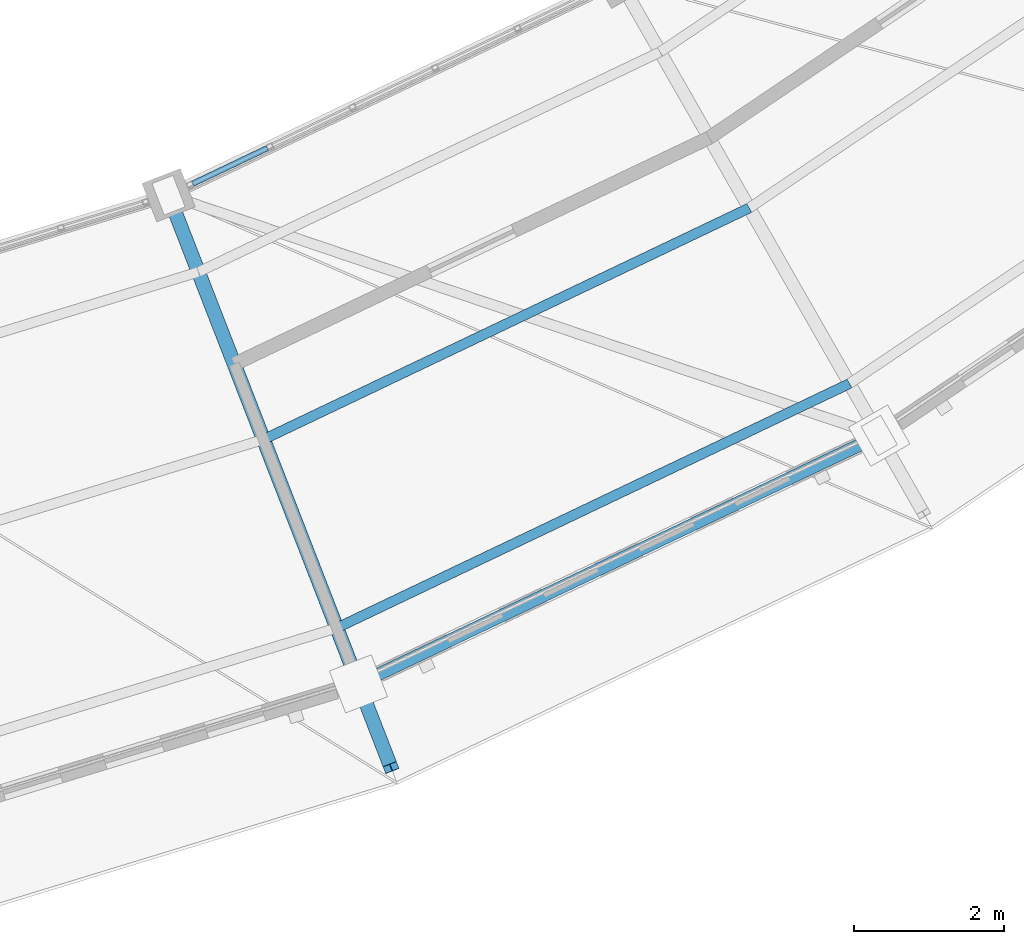
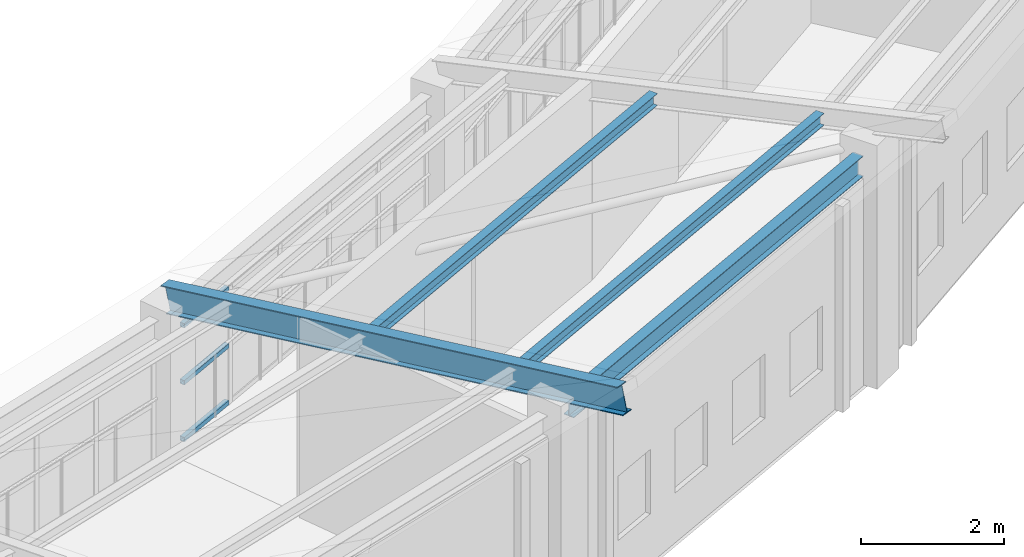
# One storey, part 43 of 149: 6 members, 1 beam, 1 element without a shape of its own.
"""IFC4 building model written with IfcOpenShell, lengths in metres."""

from ifc_helpers import new_model, si_unit, direction, frame, origin, origin_2d, place, context, subcontext, project, spatial, hollow_rectangle, i_section, extrude, material, material_profile, profile_set, type_object, element, aggregate, save


model = new_model("IFC4")

# Units and contexts
model_context = context("Model", 3, precision=1e-05, world=origin(), true_north=direction((0.0, 1.0)))
body_context = subcontext(model_context, "Body", "Model", "MODEL_VIEW")
ifc_project = project(units=[si_unit("LENGTHUNIT", "METRE"), si_unit("AREAUNIT", "SQUARE_METRE"), si_unit("VOLUMEUNIT", "CUBIC_METRE"), si_unit("PLANEANGLEUNIT", "RADIAN"), si_unit("MASSUNIT", "GRAM", prefix="KILO")], contexts=[model_context])

# Site, building, storey
site_placement = place(None, origin())
site = spatial("IfcSite", under=ifc_project, at=site_placement, CompositionType="ELEMENT")
building_placement = place(site_placement, origin())
building = spatial("IfcBuilding", under=site, at=building_placement, Name="Celadon Cloister-Ring School", CompositionType="ELEMENT")
storey_placement = place(building_placement, frame((0.0, 0.0, 12.5)))
storey = spatial("IfcBuildingStorey", under=building, at=storey_placement, Name="L03", CompositionType="ELEMENT", Elevation=12.5)

# Curtain wall, members
ifc_material_1 = material(Name="Aluminium EN AW-6063 T6", Category="aluminium")
curtain_wall_type = type_object("IfcCurtainWallType", Name="CW-02", PredefinedType="USERDEFINED", material=ifc_material_1)
curtain_wall_placement = place(storey_placement, origin())
curtain_wall = element("IfcCurtainWall", 1, at=curtain_wall_placement, inside=storey, type_object=curtain_wall_type, Name="Curtain Wall 0064", ObjectType="CURTAIN WALL", PredefinedType="USERDEFINED")
ifc_material_2 = material(Name="Aluminium EN AW-6063 T6", Category="aluminium")
ifc_material_profile_1 = material_profile(ifc_material_2, hollow_rectangle(XDim=0.074951171875, YDim=0.074951171875, WallThickness=0.00390625, at=origin_2d()), Name="RHS75X75X4")
ifc_profile_set_1 = profile_set([ifc_material_profile_1], Name="Aluminium EN AW-6063 T6")
member_type_1 = type_object("IfcMemberType", Name="CTM-03", PredefinedType="USERDEFINED", material=ifc_profile_set_1)
member_1_placement = place(storey_placement, frame((103.626220703125, 17.21142578125, 0.03759765625), z_axis=(0.902647393196, 0.430380858725, 0.0), x_axis=(-0.430380858725, 0.902647393196, 0.0)))
member_1 = element("IfcMember", 2, at=member_1_placement, type_object=member_type_1, Name="CW-02 transom 1.1", ObjectType="TRANSOM", PredefinedType="USERDEFINED", context=body_context, shape_type="SweptSolid", body=[
    extrude(hollow_rectangle(XDim=0.074951171875, YDim=0.074951171875, WallThickness=0.00390625, at=origin_2d()), origin(), (0.0, 0.0, 1.0), 1.1015625),
])
member_2_placement = place(storey_placement, frame((103.626220703125, 17.21142578125, 1.010009765625), z_axis=(0.902647393196, 0.430380858725, 0.0), x_axis=(-0.430380858725, 0.902647393196, 0.0)))
member_2 = element("IfcMember", 3, at=member_2_placement, type_object=member_type_1, Name="CW-02 transom 1.2", ObjectType="TRANSOM", PredefinedType="USERDEFINED", context=body_context, shape_type="SweptSolid", body=[
    extrude(hollow_rectangle(XDim=0.074951171875, YDim=0.074951171875, WallThickness=0.00390625, at=origin_2d()), origin(), (0.0, 0.0, 1.0), 1.1015625),
])
member_3_placement = place(storey_placement, frame((103.626220703125, 17.21142578125, 1.982421875), z_axis=(0.902647393196, 0.430380858725, 0.0), x_axis=(-0.430380858725, 0.902647393196, 0.0)))
member_3 = element("IfcMember", 4, at=member_3_placement, type_object=member_type_1, Name="CW-02 transom 1.3", ObjectType="TRANSOM", PredefinedType="USERDEFINED", context=body_context, shape_type="SweptSolid", body=[
    extrude(hollow_rectangle(XDim=0.074951171875, YDim=0.074951171875, WallThickness=0.00390625, at=origin_2d()), origin(), (0.0, 0.0, 1.0), 1.1015625),
])
aggregate(curtain_wall, [member_1, member_2, member_3])

# Members
ifc_material_3 = material(Name="Structural steel S355JR", Category="steel")
ifc_material_profile_2 = material_profile(ifc_material_3, i_section(OverallWidth=0.133056640625, OverallDepth=0.20703125, WebThickness=0.005859375, FlangeThickness=0.00830078125, at=origin_2d()), Name="W200X27")
ifc_profile_set_2 = profile_set([ifc_material_profile_2], Name="Structural steel S355JR")
member_type_2 = type_object("IfcMemberType", Name="MP-04", PredefinedType="PURLIN", material=ifc_profile_set_2)
member_4_placement = place(storey_placement, frame((104.570068359375, 13.794921875, 3.4599609375), z_axis=(0.902721661143, 0.430225060292, 0.0), x_axis=(-0.430225060292, 0.902721661143, 0.0)))
element("IfcMember", 5, at=member_4_placement, inside=storey, type_object=member_type_2, Name="Structural Member 0180", PredefinedType="PURLIN", context=body_context, shape_type="SweptSolid", body=[
    extrude(i_section(OverallWidth=0.133056640625, OverallDepth=0.20703125, WebThickness=0.005859375, FlangeThickness=0.00830078125, at=origin_2d()), origin(), (0.0, 0.0, 1.0), 7.184814453125),
])
member_5_placement = place(storey_placement, frame((105.548095703125, 11.278076171875, 4.073974609375), z_axis=(0.902682550723, 0.430307114303, 0.0), x_axis=(-0.430307114303, 0.902682550723, 0.0)))
element("IfcMember", 6, at=member_5_placement, inside=storey, type_object=member_type_2, Name="Structural Member 0181", PredefinedType="PURLIN", context=body_context, shape_type="SweptSolid", body=[
    extrude(i_section(OverallWidth=0.133056640625, OverallDepth=0.20703125, WebThickness=0.005859375, FlangeThickness=0.00830078125, at=origin_2d()), origin(), (0.0, 0.0, 1.0), 7.585205078125),
])
ifc_material_4 = material(Name="Structural steel S355JR", Category="steel")
ifc_material_profile_3 = material_profile(ifc_material_4, i_section(OverallWidth=0.18994140625, OverallDepth=0.45703125, WebThickness=0.009033203125, FlangeThickness=0.014404296875, at=origin_2d()), Name="W460X74")
ifc_profile_set_3 = profile_set([ifc_material_profile_3], Name="Structural steel S355JR")
member_type_3 = type_object("IfcMemberType", Name="MR-03", PredefinedType="RAFTER", material=ifc_profile_set_3)
member_6_placement = place(storey_placement, frame((103.302001953125, 17.056884765625, 2.674072265625), z_axis=(0.353383298568, -0.909085722875, 0.2206431344), x_axis=(0.932056625744, 0.362312636278, 0.0)))
element("IfcMember", 7, at=member_6_placement, inside=storey, type_object=member_type_3, Name="Structural Member 0042", PredefinedType="RAFTER", context=body_context, shape_type="SweptSolid", body=[
    extrude(i_section(OverallWidth=0.18994140625, OverallDepth=0.45703125, WebThickness=0.009033203125, FlangeThickness=0.014404296875, at=origin_2d()), origin(), (0.0, 0.0, 1.0), 8.4072265625),
])

# Beam
ifc_material_5 = material(Name="Structural steel S355JR", Category="steel")
ifc_material_profile_4 = material_profile(ifc_material_5, i_section(OverallWidth=0.1708984375, OverallDepth=0.35498046875, WebThickness=0.007080078125, FlangeThickness=0.01171875, at=origin_2d()), Name="W360X51")
ifc_profile_set_4 = profile_set([ifc_material_profile_4], Name="Structural steel S355JR")
beam_type = type_object("IfcBeamType", Name="SP-04", PredefinedType="SPANDREL", material=ifc_profile_set_4)
beam_placement = place(storey_placement, frame((106.0859375, 10.64990234375, 3.722900390625), z_axis=(0.90265099943, 0.430373295207, 0.0), x_axis=(-0.430373295207, 0.90265099943, 0.0)))
element("IfcBeam", 8, at=beam_placement, inside=storey, type_object=beam_type, Name="Beam 0561", PredefinedType="SPANDREL", context=body_context, shape_type="SweptSolid", body=[
    extrude(i_section(OverallWidth=0.1708984375, OverallDepth=0.35498046875, WebThickness=0.007080078125, FlangeThickness=0.01171875, at=origin_2d()), origin(), (0.0, 0.0, 1.0), 7.154541015625),
])

save(model, "model.ifc")
